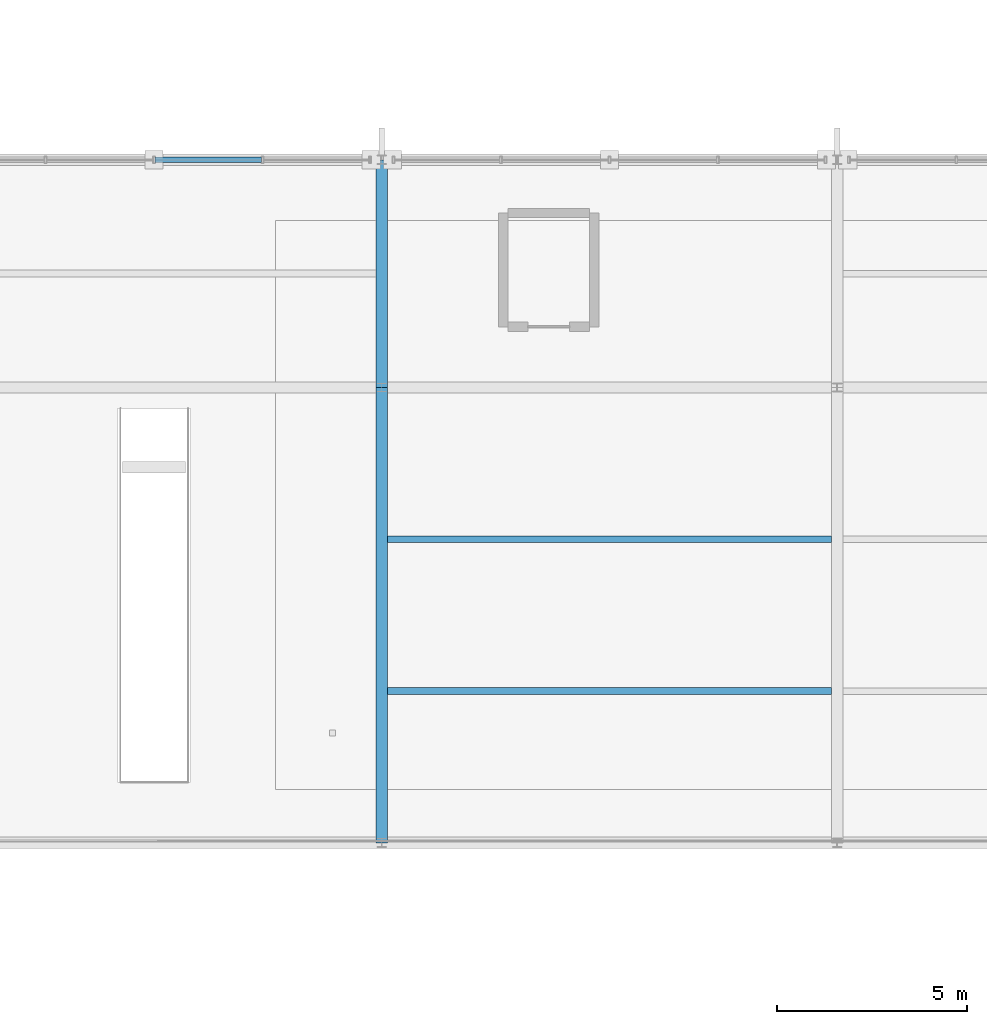
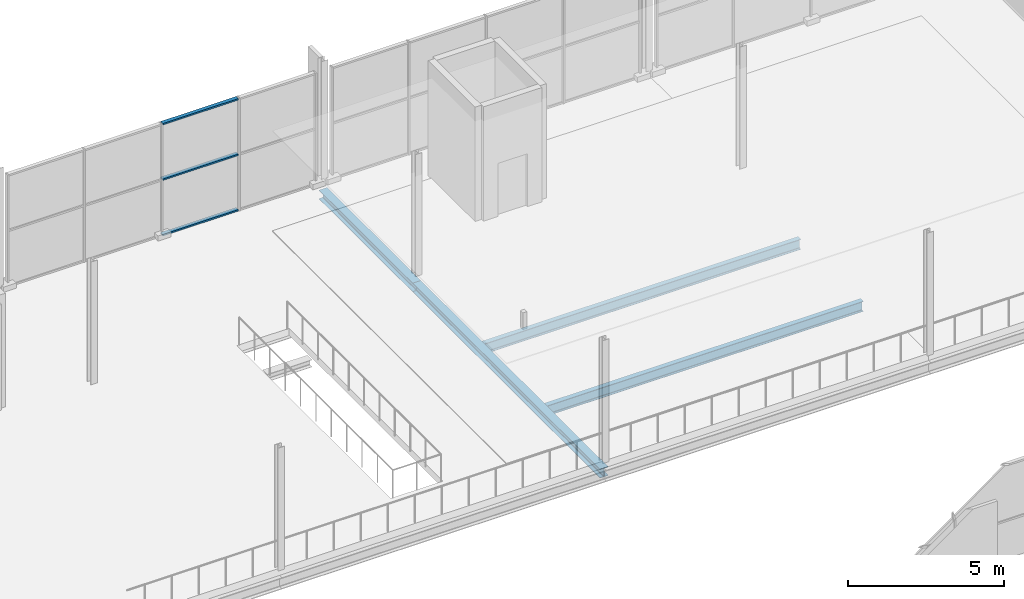
# One storey, part 62 of 159: 4 beams, 3 members, 1 element without a shape of its own.
"""IFC4 building model written with IfcOpenShell, lengths in metres."""

from ifc_helpers import new_model, si_unit, direction, frame, origin, origin_2d, place, context, subcontext, project, spatial, hollow_rectangle, i_section, extrude, material, material_profile, profile_set, type_object, element, aggregate, save


model = new_model("IFC4")

# Units and contexts
model_context = context("Model", 3, precision=1e-05, world=origin(), true_north=direction((0.0, 1.0)))
body_context = subcontext(model_context, "Body", "Model", "MODEL_VIEW")
ifc_project = project(units=[si_unit("LENGTHUNIT", "METRE"), si_unit("AREAUNIT", "SQUARE_METRE"), si_unit("VOLUMEUNIT", "CUBIC_METRE"), si_unit("PLANEANGLEUNIT", "RADIAN"), si_unit("MASSUNIT", "GRAM", prefix="KILO")], contexts=[model_context])

# Site, building, storey
site_placement = place(None, origin())
site = spatial("IfcSite", under=ifc_project, at=site_placement, CompositionType="ELEMENT")
building_placement = place(site_placement, origin())
building = spatial("IfcBuilding", under=site, at=building_placement, Name="Merenkruunu Market Hall", CompositionType="ELEMENT")
storey_placement = place(building_placement, frame((0.0, 0.0, 5.39990234375)))
storey = spatial("IfcBuildingStorey", under=building, at=storey_placement, Name="L01", CompositionType="ELEMENT", Elevation=5.39990234375)

# Curtain wall, members
ifc_material_1 = material(Name="Powder-coated aluminium", Category="aluminium")
curtain_wall_type = type_object("IfcCurtainWallType", Name="Glazed Curtain Wall CW05", PredefinedType="USERDEFINED", material=ifc_material_1)
curtain_wall_placement = place(storey_placement, origin())
curtain_wall = element("IfcCurtainWall", 1, at=curtain_wall_placement, inside=storey, type_object=curtain_wall_type, Name="CW-L01-CWM02-185", ObjectType="GLAZED_FACADE", PredefinedType="USERDEFINED")
ifc_material_profile_1 = material_profile(ifc_material_1, hollow_rectangle(XDim=0.06005859375, YDim=0.139892578125, WallThickness=0.00390625, at=origin_2d()), Name="ALU 60x140x4")
ifc_profile_set_1 = profile_set([ifc_material_profile_1], Name="Powder-coated aluminium")
member_type = type_object("IfcMemberType", Name="Curtain Wall Transom CWT02", PredefinedType="USERDEFINED", material=ifc_profile_set_1)
member_1_placement = place(storey_placement, frame((94.830078125, 45.60009765625, 0.030029296875), z_axis=(1.0, 0.0, 0.0), x_axis=(0.0, 0.0, 1.0)))
member_1 = element("IfcMember", 2, at=member_1_placement, type_object=member_type, Name="CW05 transom 3.1", ObjectType="TRANSOM", PredefinedType="USERDEFINED", context=body_context, shape_type="SweptSolid", body=[
    extrude(hollow_rectangle(XDim=0.06005859375, YDim=0.139892578125, WallThickness=0.00390625, at=origin_2d()), origin(), (0.0, 0.0, 1.0), 2.7998046875),
])
member_2_placement = place(storey_placement, frame((94.830078125, 45.60009765625, 2.2001953125), z_axis=(1.0, 0.0, 0.0), x_axis=(0.0, 0.0, 1.0)))
member_2 = element("IfcMember", 3, at=member_2_placement, type_object=member_type, Name="CW05 transom 3.2", ObjectType="TRANSOM", PredefinedType="USERDEFINED", context=body_context, shape_type="SweptSolid", body=[
    extrude(hollow_rectangle(XDim=0.06005859375, YDim=0.139892578125, WallThickness=0.00390625, at=origin_2d()), origin(), (0.0, 0.0, 1.0), 2.7998046875),
])
member_3_placement = place(storey_placement, frame((94.830078125, 45.60009765625, 4.3701171875), z_axis=(1.0, 0.0, 0.0), x_axis=(0.0, 0.0, 1.0)))
member_3 = element("IfcMember", 4, at=member_3_placement, type_object=member_type, Name="CW05 transom 3.3", ObjectType="TRANSOM", PredefinedType="USERDEFINED", context=body_context, shape_type="SweptSolid", body=[
    extrude(hollow_rectangle(XDim=0.06005859375, YDim=0.139892578125, WallThickness=0.00390625, at=origin_2d()), origin(), (0.0, 0.0, 1.0), 2.7998046875),
])
aggregate(curtain_wall, [member_1, member_2, member_3])

# Beams
ifc_material_2 = material(Name="Steel S355J2", Category="steel")
ifc_material_profile_2 = material_profile(ifc_material_2, i_section(OverallWidth=0.300048828125, OverallDepth=0.35009765625, WebThickness=0.010009765625, FlangeThickness=0.017578125, FilletRadius=0.027099609375, at=origin_2d()), Name="HEA 360")
ifc_profile_set_2 = profile_set([ifc_material_profile_2], Name="Steel S355J2")
beam_type_1 = type_object("IfcBeamType", Name="Primary Floor Girder B08", PredefinedType="BEAM", material=ifc_profile_set_2)
beam_1_placement = place(storey_placement, frame((100.800048828125, 27.60009765625, -0.454833984375), z_axis=(0.0, 1.0, 0.0), x_axis=(-1.0, 0.0, 0.0)))
element("IfcBeam", 5, at=beam_1_placement, inside=storey, type_object=beam_type_1, Name="BM-L01-B08-0607", PredefinedType="BEAM", context=body_context, shape_type="SweptSolid", body=[
    extrude(i_section(OverallWidth=0.300048828125, OverallDepth=0.35009765625, WebThickness=0.010009765625, FlangeThickness=0.017578125, FilletRadius=0.027099609375, at=origin_2d()), origin(), (0.0, 0.0, 1.0), 12.0),
])
beam_2_placement = place(storey_placement, frame((100.800048828125, 39.60009765625, -0.454833984375), z_axis=(0.0, 1.0, 0.0), x_axis=(-1.0, 0.0, 0.0)))
element("IfcBeam", 6, at=beam_2_placement, inside=storey, type_object=beam_type_1, Name="BM-L01-B08-0608", PredefinedType="BEAM", context=body_context, shape_type="SweptSolid", body=[
    extrude(i_section(OverallWidth=0.300048828125, OverallDepth=0.35009765625, WebThickness=0.010009765625, FlangeThickness=0.017578125, FilletRadius=0.027099609375, at=origin_2d()), origin(), (0.0, 0.0, 1.0), 6.0),
])
ifc_material_profile_3 = material_profile(ifc_material_2, i_section(OverallWidth=0.179931640625, OverallDepth=0.39990234375, WebThickness=0.008544921875, FlangeThickness=0.013427734375, FilletRadius=0.02099609375, at=origin_2d()), Name="IPE 400")
ifc_profile_set_3 = profile_set([ifc_material_profile_3], Name="Steel S355J2")
beam_type_2 = type_object("IfcBeamType", Name="Secondary Floor Joist J02", PredefinedType="JOIST", material=ifc_profile_set_3)
for number, where, z_axis, x_axis, name in (
    (7, (100.952880859375, 31.60009765625, -0.47998046875), (1.0, 0.0, 0.0), (0.0, 1.0, 0.0), "BM-L01-J02-0691"),
    (8, (100.952880859375, 35.60009765625, -0.47998046875), (1.0, 0.0, 0.0), (0.0, 1.0, 0.0), "BM-L01-J02-0692"),
):
    element("IfcBeam", number, at=place(storey_placement, frame(where, z_axis=z_axis, x_axis=x_axis)), inside=storey, type_object=beam_type_2, Name=name, PredefinedType="JOIST", context=body_context, shape_type="SweptSolid", body=[
        extrude(i_section(OverallWidth=0.179931640625, OverallDepth=0.39990234375, WebThickness=0.008544921875, FlangeThickness=0.013427734375, FilletRadius=0.02099609375, at=origin_2d()), origin(), (0.0, 0.0, 1.0), 11.694091796875),
    ])

save(model, "model.ifc")
